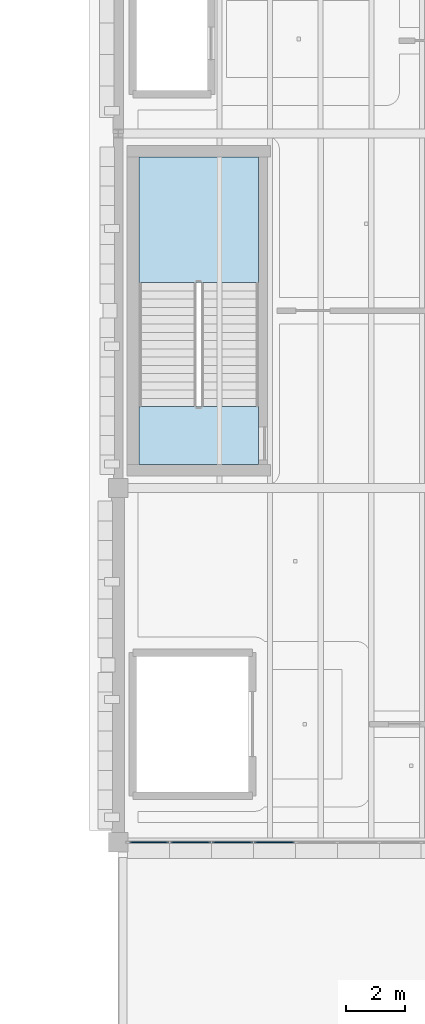
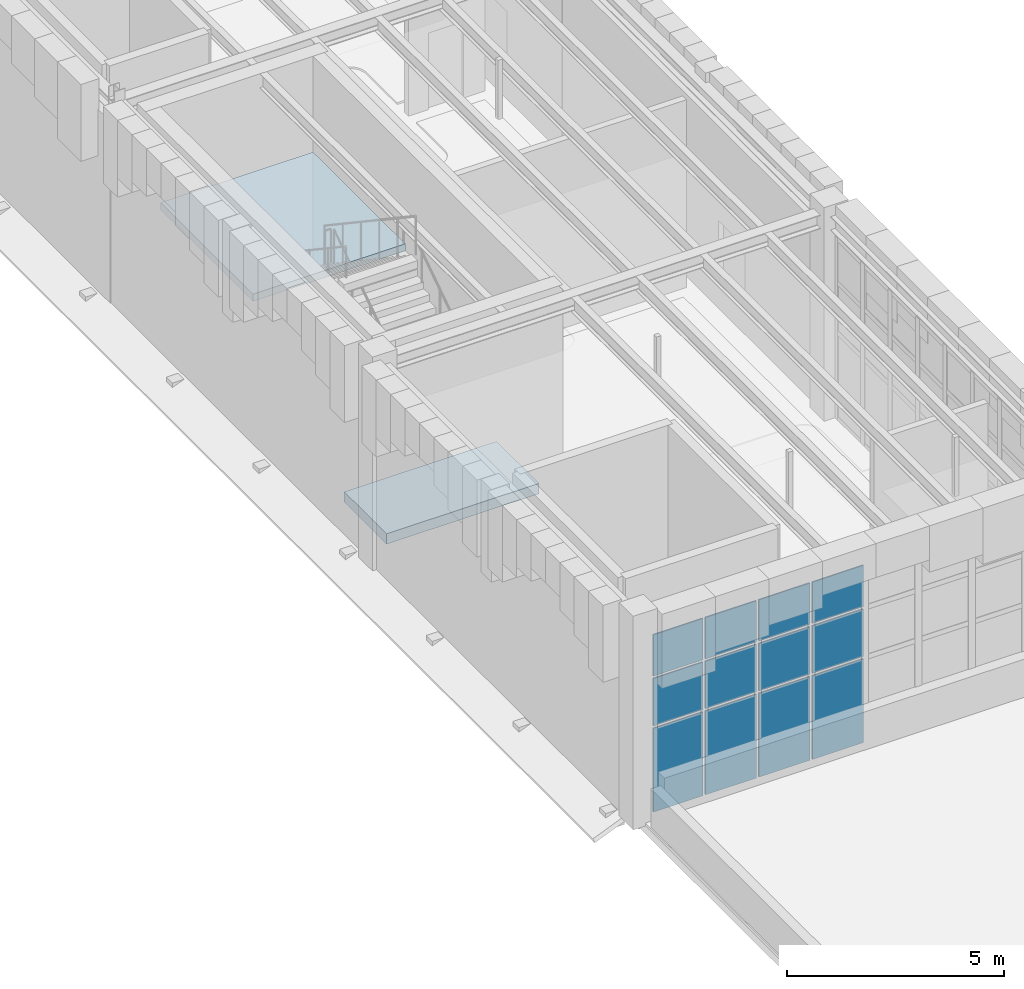
# One storey, part 36 of 83: 12 plates, 2 slabs, 2 elements without a shape of their own.
"""IFC4 building model written with IfcOpenShell, lengths in metres."""

from ifc_helpers import new_model, si_unit, direction, frame, origin, origin_2d, place, context, subcontext, project, spatial, polyline, rectangle, outline, extrude, material, layer, layer_set, type_object, element, aggregate, save


model = new_model("IFC4")

# Units and contexts
model_context = context("Model", 3, precision=1e-05, world=origin(), true_north=direction((0.0, 1.0)))
body_context = subcontext(model_context, "Body", "Model", "MODEL_VIEW")
ifc_project = project(units=[si_unit("LENGTHUNIT", "METRE"), si_unit("AREAUNIT", "SQUARE_METRE"), si_unit("VOLUMEUNIT", "CUBIC_METRE"), si_unit("PLANEANGLEUNIT", "RADIAN"), si_unit("MASSUNIT", "GRAM", prefix="KILO")], contexts=[model_context])

# Site, building, storey
site_placement = place(None, origin())
site = spatial("IfcSite", under=ifc_project, at=site_placement, CompositionType="ELEMENT")
building_placement = place(site_placement, origin())
building = spatial("IfcBuilding", under=site, at=building_placement, Name="Zlatogorsky Bluff Art Gallery", CompositionType="ELEMENT")
storey_placement = place(building_placement, frame((0.0, 0.0, 10.800048828125)))
storey = spatial("IfcBuildingStorey", under=building, at=storey_placement, Name="L02", CompositionType="ELEMENT", Elevation=10.800048828125)

# Curtain wall, plates
ifc_material_1 = material(Name="Anodised Bronze Aluminium and Low-Iron Triple Glazing", Category="aluminium")
ifc_layer_1 = layer(ifc_material_1, 0.199951171875)
ifc_layer_set_1 = layer_set([ifc_layer_1], Name="Curtain Wall CW-02")
curtain_wall_type = type_object("IfcCurtainWallType", Name="Curtain Wall CW-02", PredefinedType="USERDEFINED", material=ifc_layer_set_1)
curtain_wall_placement = place(storey_placement, origin())
curtain_wall = element("IfcCurtainWall", 1, at=curtain_wall_placement, inside=storey, type_object=curtain_wall_type, Name="Unitised curtain wall CW-02 L02 S 10.5", ObjectType="CURTAIN WALL", PredefinedType="USERDEFINED")
ifc_material_2 = material(Name="Low-Iron Laminated Triple Glazing", Category="glass")
ifc_layer_2 = layer(ifc_material_2, 0.035888671875)
ifc_layer_set_2 = layer_set([ifc_layer_2], Name="Glazed Curtain Panel CWP-01")
plate_type = type_object("IfcPlateType", Name="Glazed Curtain Panel CWP-01", PredefinedType="CURTAIN_PANEL", material=ifc_layer_set_2)
plate_1_placement = place(storey_placement, frame((121.046142578125, 50.39990234375, 0.06494140625), z_axis=(0.0, 0.0, 1.0), x_axis=(1.0, 0.0, 0.0)))
plate_1 = element("IfcPlate", 2, at=plate_1_placement, type_object=plate_type, Name="CW-02 panel 1.1", PredefinedType="CURTAIN_PANEL", context=body_context, shape_type="SweptSolid", body=[
    extrude(rectangle(XDim=1.322509765625, YDim=0.035888671875, at=origin_2d()), origin(), (0.0, 0.0, 1.0), 2.3525390625),
])
plate_2_placement = place(storey_placement, frame((121.046142578125, 50.39990234375, 2.482421875), z_axis=(0.0, 0.0, 1.0), x_axis=(1.0, 0.0, 0.0)))
plate_2 = element("IfcPlate", 3, at=plate_2_placement, type_object=plate_type, Name="CW-02 panel 1.2", PredefinedType="CURTAIN_PANEL", context=body_context, shape_type="SweptSolid", body=[
    extrude(rectangle(XDim=1.322509765625, YDim=0.035888671875, at=origin_2d()), origin(), (0.0, 0.0, 1.0), 1.3349609375),
])
plate_3_placement = place(storey_placement, frame((121.046142578125, 50.39990234375, 3.88232421875), z_axis=(0.0, 0.0, 1.0), x_axis=(1.0, 0.0, 0.0)))
plate_3 = element("IfcPlate", 4, at=plate_3_placement, type_object=plate_type, Name="CW-02 panel 1.3", PredefinedType="CURTAIN_PANEL", context=body_context, shape_type="SweptSolid", body=[
    extrude(rectangle(XDim=1.322509765625, YDim=0.035888671875, at=origin_2d()), origin(), (0.0, 0.0, 1.0), 1.16259765625),
])
plate_4_placement = place(storey_placement, frame((122.449951171875, 50.39990234375, 0.06494140625), z_axis=(0.0, 0.0, 1.0), x_axis=(1.0, 0.0, 0.0)))
plate_4 = element("IfcPlate", 5, at=plate_4_placement, type_object=plate_type, Name="CW-02 panel 2.1", PredefinedType="CURTAIN_PANEL", context=body_context, shape_type="SweptSolid", body=[
    extrude(rectangle(XDim=1.35498046875, YDim=0.035888671875, at=origin_2d()), origin(), (0.0, 0.0, 1.0), 2.3525390625),
])
plate_5_placement = place(storey_placement, frame((122.449951171875, 50.39990234375, 2.482421875), z_axis=(0.0, 0.0, 1.0), x_axis=(1.0, 0.0, 0.0)))
plate_5 = element("IfcPlate", 6, at=plate_5_placement, type_object=plate_type, Name="CW-02 panel 2.2", PredefinedType="CURTAIN_PANEL", context=body_context, shape_type="SweptSolid", body=[
    extrude(rectangle(XDim=1.35498046875, YDim=0.035888671875, at=origin_2d()), origin(), (0.0, 0.0, 1.0), 1.3349609375),
])
plate_6_placement = place(storey_placement, frame((122.449951171875, 50.39990234375, 3.88232421875), z_axis=(0.0, 0.0, 1.0), x_axis=(1.0, 0.0, 0.0)))
plate_6 = element("IfcPlate", 7, at=plate_6_placement, type_object=plate_type, Name="CW-02 panel 2.3", PredefinedType="CURTAIN_PANEL", context=body_context, shape_type="SweptSolid", body=[
    extrude(rectangle(XDim=1.35498046875, YDim=0.035888671875, at=origin_2d()), origin(), (0.0, 0.0, 1.0), 1.16259765625),
])
plate_7_placement = place(storey_placement, frame((123.8701171875, 50.39990234375, 0.06494140625), z_axis=(0.0, 0.0, 1.0), x_axis=(1.0, 0.0, 0.0)))
plate_7 = element("IfcPlate", 8, at=plate_7_placement, type_object=plate_type, Name="CW-02 panel 3.1", PredefinedType="CURTAIN_PANEL", context=body_context, shape_type="SweptSolid", body=[
    extrude(rectangle(XDim=1.35498046875, YDim=0.035888671875, at=origin_2d()), origin(), (0.0, 0.0, 1.0), 2.3525390625),
])
plate_8_placement = place(storey_placement, frame((123.8701171875, 50.39990234375, 2.482421875), z_axis=(0.0, 0.0, 1.0), x_axis=(1.0, 0.0, 0.0)))
plate_8 = element("IfcPlate", 9, at=plate_8_placement, type_object=plate_type, Name="CW-02 panel 3.2", PredefinedType="CURTAIN_PANEL", context=body_context, shape_type="SweptSolid", body=[
    extrude(rectangle(XDim=1.35498046875, YDim=0.035888671875, at=origin_2d()), origin(), (0.0, 0.0, 1.0), 1.3349609375),
])
plate_9_placement = place(storey_placement, frame((123.8701171875, 50.39990234375, 3.88232421875), z_axis=(0.0, 0.0, 1.0), x_axis=(1.0, 0.0, 0.0)))
plate_9 = element("IfcPlate", 10, at=plate_9_placement, type_object=plate_type, Name="CW-02 panel 3.3", PredefinedType="CURTAIN_PANEL", context=body_context, shape_type="SweptSolid", body=[
    extrude(rectangle(XDim=1.35498046875, YDim=0.035888671875, at=origin_2d()), origin(), (0.0, 0.0, 1.0), 1.16259765625),
])
plate_10_placement = place(storey_placement, frame((125.2900390625, 50.39990234375, 0.06494140625), z_axis=(0.0, 0.0, 1.0), x_axis=(1.0, 0.0, 0.0)))
plate_10 = element("IfcPlate", 11, at=plate_10_placement, type_object=plate_type, Name="CW-02 panel 4.1", PredefinedType="CURTAIN_PANEL", context=body_context, shape_type="SweptSolid", body=[
    extrude(rectangle(XDim=1.35498046875, YDim=0.035888671875, at=origin_2d()), origin(), (0.0, 0.0, 1.0), 2.3525390625),
])
plate_11_placement = place(storey_placement, frame((125.2900390625, 50.39990234375, 2.482421875), z_axis=(0.0, 0.0, 1.0), x_axis=(1.0, 0.0, 0.0)))
plate_11 = element("IfcPlate", 12, at=plate_11_placement, type_object=plate_type, Name="CW-02 panel 4.2", PredefinedType="CURTAIN_PANEL", context=body_context, shape_type="SweptSolid", body=[
    extrude(rectangle(XDim=1.35498046875, YDim=0.035888671875, at=origin_2d()), origin(), (0.0, 0.0, 1.0), 1.3349609375),
])
plate_12_placement = place(storey_placement, frame((125.2900390625, 50.39990234375, 3.88232421875), z_axis=(0.0, 0.0, 1.0), x_axis=(1.0, 0.0, 0.0)))
plate_12 = element("IfcPlate", 13, at=plate_12_placement, type_object=plate_type, Name="CW-02 panel 4.3", PredefinedType="CURTAIN_PANEL", context=body_context, shape_type="SweptSolid", body=[
    extrude(rectangle(XDim=1.35498046875, YDim=0.035888671875, at=origin_2d()), origin(), (0.0, 0.0, 1.0), 1.16259765625),
])
aggregate(curtain_wall, [plate_1, plate_2, plate_3, plate_4, plate_5, plate_6, plate_7, plate_8, plate_9, plate_10, plate_11, plate_12])

# Slab
ifc_material_3 = material(Name="Concrete C30/37", Category="concrete")
ifc_layer_3 = layer(ifc_material_3, 0.2900390625)
ifc_layer_set_3 = layer_set([ifc_layer_3], Name="Slab SL-02 290mm")
slab_type_1 = type_object("IfcSlabType", Name="Slab SL-02 290mm", PredefinedType="FLOOR", material=ifc_layer_set_3)
slab_1_placement = place(storey_placement, frame((0.0, 0.0, -0.2900390625)))
element("IfcSlab", 14, at=slab_1_placement, inside=storey, type_object=slab_type_1, Name="L02 stair ST-06 structural floor landing slab", PredefinedType="FLOOR", context=body_context, shape_type="SweptSolid", body=[
    extrude(outline(polyline([(124.75, 63.199951171875), (124.75, 65.14990234375), (120.699951171875, 65.14990234375), (120.699951171875, 63.199951171875), (124.75, 63.199951171875)])), origin(), (0.0, 0.0, 1.0), 0.2900390625),
])

# Stair, slab
stair_type = type_object("IfcStairType", Name="Protected Dogleg Stair ST-T6", PredefinedType="HALF_TURN_STAIR", material=ifc_material_3)
stair_placement = place(storey_placement, origin())
stair = element("IfcStair", 15, at=stair_placement, inside=storey, type_object=stair_type, Name="L02 Protected Exit Stair ST-06", PredefinedType="HALF_TURN_STAIR")
ifc_layer_4 = layer(ifc_material_3, 0.199951171875)
ifc_layer_set_4 = layer_set([ifc_layer_4], Name="Stair Half-Landing 200mm")
slab_type_2 = type_object("IfcSlabType", Name="Stair Half-Landing 200mm", PredefinedType="LANDING", material=ifc_layer_set_4)
slab_2_placement = place(storey_placement, frame((0.0, 0.0, 2.800048828125)))
slab_2 = element("IfcSlab", 16, at=slab_2_placement, type_object=slab_type_2, Name="ST-06 landing 1", PredefinedType="LANDING", context=body_context, shape_type="SweptSolid", body=[
    extrude(outline(polyline([(124.75, 69.35009765625), (124.75, 73.60009765625), (120.699951171875, 73.60009765625), (120.699951171875, 69.35009765625), (124.75, 69.35009765625)])), origin(), (0.0, 0.0, 1.0), 0.199951171875),
])
aggregate(stair, [slab_2])

save(model, "model.ifc")
